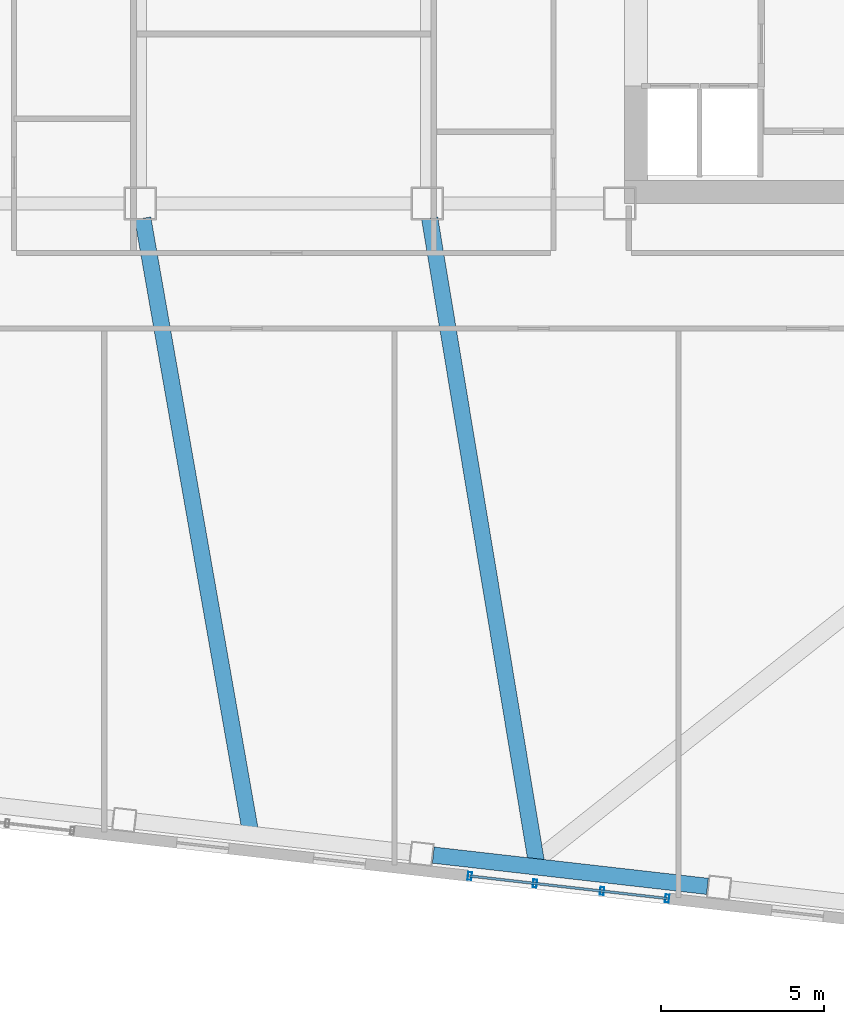
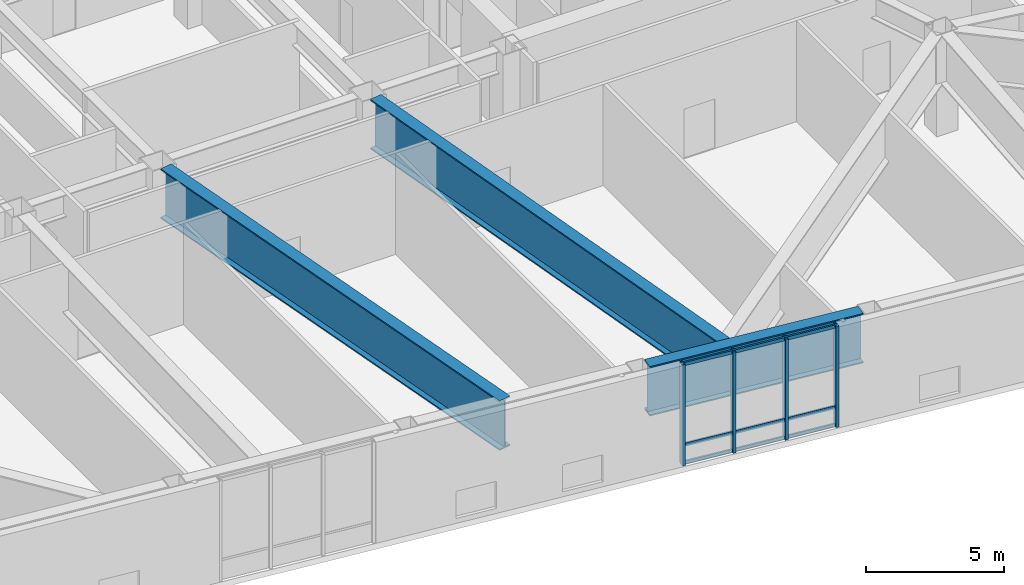
# One storey, part 4 of 19: 7 members, 3 beams, 1 element without a shape of its own.
"""IFC4 building model written with IfcOpenShell, lengths in metres."""

from ifc_helpers import new_model, si_unit, direction, frame, origin, origin_2d, place, context, subcontext, project, spatial, hollow_rectangle, i_section, extrude, material, layer, layer_set, material_profile, profile_set, type_object, element, aggregate, save


model = new_model("IFC4")

# Units and contexts
model_context = context("Model", 3, precision=1e-05, world=origin(), true_north=direction((0.0, 1.0)))
body_context = subcontext(model_context, "Body", "Model", "MODEL_VIEW")
ifc_project = project(units=[si_unit("LENGTHUNIT", "METRE"), si_unit("AREAUNIT", "SQUARE_METRE"), si_unit("VOLUMEUNIT", "CUBIC_METRE"), si_unit("PLANEANGLEUNIT", "RADIAN"), si_unit("MASSUNIT", "GRAM", prefix="KILO")], contexts=[model_context])

# Site, building, storey
site_placement = place(None, origin())
site = spatial("IfcSite", under=ifc_project, at=site_placement, CompositionType="ELEMENT")
building_placement = place(site_placement, origin())
building = spatial("IfcBuilding", under=site, at=building_placement, Name="Tavrogorsk Clinical Tower", CompositionType="ELEMENT")
storey_placement = place(building_placement, frame((0.0, 0.0, 141.39990234375)))
storey = spatial("IfcBuildingStorey", under=building, at=storey_placement, Name="L32", CompositionType="ELEMENT", Elevation=141.39990234375)

# Curtain wall, members
ifc_material_1 = material(Name="Anodised aluminium and triple IGU glazing", Category="aluminium")
ifc_layer = layer(ifc_material_1, 0.179931640625)
ifc_layer_set = layer_set([ifc_layer], Name="Anodised aluminium and triple IGU glazing")
curtain_wall_type = type_object("IfcCurtainWallType", Name="CW5_SkyLobby", PredefinedType="NOTDEFINED", material=ifc_layer_set)
curtain_wall_placement = place(storey_placement, origin())
curtain_wall = element("IfcCurtainWall", 1, at=curtain_wall_placement, inside=storey, type_object=curtain_wall_type, Name="L32 Curtain Wall CW-L32-S-CW5-2", PredefinedType="NOTDEFINED")
ifc_material_2 = material(Name="Anodised aluminium alloy AW-6060", Category="aluminium")
ifc_material_profile_1 = material_profile(ifc_material_2, hollow_rectangle(XDim=0.1201171875, YDim=0.239990234375, WallThickness=0.008056640625, at=origin_2d()), Name="RHS-240x120x8")
ifc_profile_set_1 = profile_set([ifc_material_profile_1], Name="Anodised aluminium alloy AW-6060")
member_type_1 = type_object("IfcMemberType", Name="CwMullion_240x120", PredefinedType="MULLION", material=ifc_profile_set_1)
member_1_placement = place(storey_placement, frame((5.70556640625, -26.966064453125, 0.0), z_axis=(0.0, 0.0, 1.0), x_axis=(0.993571847378, -0.113203286601, 0.0)))
member_1 = element("IfcMember", 2, at=member_1_placement, type_object=member_type_1, Name="CW-L32-S-CW5-2 Mullion 1", PredefinedType="MULLION", context=body_context, shape_type="SweptSolid", body=[
    extrude(hollow_rectangle(XDim=0.1201171875, YDim=0.239990234375, WallThickness=0.008056640625, at=origin_2d()), origin(), (0.0, 0.0, 1.0), 4.47998046875),
])
member_2_placement = place(storey_placement, frame((7.701904296875, -27.193359375, 0.0), z_axis=(0.0, 0.0, 1.0), x_axis=(0.993571847378, -0.113203286601, 0.0)))
member_2 = element("IfcMember", 3, at=member_2_placement, type_object=member_type_1, Name="CW-L32-S-CW5-2 Mullion 2", PredefinedType="MULLION", context=body_context, shape_type="SweptSolid", body=[
    extrude(hollow_rectangle(XDim=0.1201171875, YDim=0.239990234375, WallThickness=0.008056640625, at=origin_2d()), origin(), (0.0, 0.0, 1.0), 4.47998046875),
])
member_3_placement = place(storey_placement, frame((9.758056640625, -27.427734375, 0.0), z_axis=(0.0, 0.0, 1.0), x_axis=(0.993571847378, -0.113203286601, 0.0)))
member_3 = element("IfcMember", 4, at=member_3_placement, type_object=member_type_1, Name="CW-L32-S-CW5-2 Mullion 3", PredefinedType="MULLION", context=body_context, shape_type="SweptSolid", body=[
    extrude(hollow_rectangle(XDim=0.1201171875, YDim=0.239990234375, WallThickness=0.008056640625, at=origin_2d()), origin(), (0.0, 0.0, 1.0), 4.47998046875),
])
member_4_placement = place(storey_placement, frame((11.75439453125, -27.655029296875, 0.0), z_axis=(0.0, 0.0, 1.0), x_axis=(0.993571847378, -0.113203286601, 0.0)))
member_4 = element("IfcMember", 5, at=member_4_placement, type_object=member_type_1, Name="CW-L32-S-CW5-2 Mullion 4", PredefinedType="MULLION", context=body_context, shape_type="SweptSolid", body=[
    extrude(hollow_rectangle(XDim=0.1201171875, YDim=0.239990234375, WallThickness=0.008056640625, at=origin_2d()), origin(), (0.0, 0.0, 1.0), 4.47998046875),
])
ifc_material_3 = material(Name="Anodised aluminium alloy AW-6060", Category="aluminium")
ifc_material_profile_2 = material_profile(ifc_material_3, hollow_rectangle(XDim=0.074951171875, YDim=0.14990234375, WallThickness=0.0048828125, at=origin_2d()), Name="RHS-150x75x5")
ifc_profile_set_2 = profile_set([ifc_material_profile_2], Name="Anodised aluminium alloy AW-6060")
member_type_2 = type_object("IfcMemberType", Name="CwTransom_150x75", PredefinedType="USERDEFINED", material=ifc_profile_set_2)
member_5_placement = place(storey_placement, frame((5.70556640625, -26.966064453125, 0.050048828125), z_axis=(0.993575773071, -0.113168825945, 0.0), x_axis=(0.113168825945, 0.993575773071, 0.0)))
member_5 = element("IfcMember", 6, at=member_5_placement, type_object=member_type_2, Name="CW-L32-S-CW5-2 Transom 1", ObjectType="TRANSOM", PredefinedType="USERDEFINED", context=body_context, shape_type="SweptSolid", body=[
    extrude(hollow_rectangle(XDim=0.074951171875, YDim=0.14990234375, WallThickness=0.0048828125, at=origin_2d()), origin(), (0.0, 0.0, 1.0), 6.087890625),
])
member_6_placement = place(storey_placement, frame((5.70556640625, -26.966064453125, 0.85009765625), z_axis=(0.993575773071, -0.113168825945, 0.0), x_axis=(0.113168825945, 0.993575773071, 0.0)))
member_6 = element("IfcMember", 7, at=member_6_placement, type_object=member_type_2, Name="CW-L32-S-CW5-2 Transom 2", ObjectType="TRANSOM", PredefinedType="USERDEFINED", context=body_context, shape_type="SweptSolid", body=[
    extrude(hollow_rectangle(XDim=0.074951171875, YDim=0.14990234375, WallThickness=0.0048828125, at=origin_2d()), origin(), (0.0, 0.0, 1.0), 6.087890625),
])
member_7_placement = place(storey_placement, frame((5.70556640625, -26.966064453125, 4.43017578125), z_axis=(0.993575773071, -0.113168825945, 0.0), x_axis=(0.113168825945, 0.993575773071, 0.0)))
member_7 = element("IfcMember", 8, at=member_7_placement, type_object=member_type_2, Name="CW-L32-S-CW5-2 Transom 3", ObjectType="TRANSOM", PredefinedType="USERDEFINED", context=body_context, shape_type="SweptSolid", body=[
    extrude(hollow_rectangle(XDim=0.074951171875, YDim=0.14990234375, WallThickness=0.0048828125, at=origin_2d()), origin(), (0.0, 0.0, 1.0), 6.087890625),
])
aggregate(curtain_wall, [member_1, member_2, member_3, member_4, member_5, member_6, member_7])

# Beams
ifc_material_4 = material(Name="Structural steel S440", Category="steel")
ifc_material_profile_3 = material_profile(ifc_material_4, i_section(OverallWidth=0.5, OverallDepth=2.199951171875, WebThickness=0.035888671875, FlangeThickness=0.054931640625, at=origin_2d()), Name="DK-2200x500x36x55")
ifc_profile_set_3 = profile_set([ifc_material_profile_3], Name="Structural steel S440")
beam_type = type_object("IfcBeamType", Name="TransferGirder_DK2200", PredefinedType="USERDEFINED", material=ifc_profile_set_3)
beam_1_placement = place(storey_placement, frame((4.584228515625, -26.324951171875, 3.380126953125), z_axis=(0.99357306506, -0.113192598642, 0.0), x_axis=(0.113192598642, 0.99357306506, 0.0)))
element("IfcBeam", 9, at=beam_1_placement, inside=storey, type_object=beam_type, Name="L32 Perimeter Spandrel S5-S6", ObjectType="GIRDER", PredefinedType="USERDEFINED", context=body_context, shape_type="SweptSolid", body=[
    extrude(i_section(OverallWidth=0.5, OverallDepth=2.199951171875, WebThickness=0.035888671875, FlangeThickness=0.054931640625, at=origin_2d()), origin(), (0.0, 0.0, 1.0), 8.46142578125),
])
beam_2_placement = place(storey_placement, frame((-4.320556640625, -6.802978515625, 3.380126953125), z_axis=(0.17281551525, -0.98495421096, 0.0), x_axis=(0.98495421096, 0.17281551525, 0.0)))
element("IfcBeam", 10, at=beam_2_placement, inside=storey, type_object=beam_type, Name="L33 Block Transfer Girder S4", ObjectType="GIRDER", PredefinedType="USERDEFINED", context=body_context, shape_type="SweptSolid", body=[
    extrude(i_section(OverallWidth=0.5, OverallDepth=2.199951171875, WebThickness=0.035888671875, FlangeThickness=0.054931640625, at=origin_2d()), origin(), (0.0, 0.0, 1.0), 19.173583984375),
])
beam_3_placement = place(storey_placement, frame((4.47509765625, -6.8037109375, 3.380126953125), z_axis=(0.163475715797, -0.986547358389, 0.0), x_axis=(0.986547358389, 0.163475715797, 0.0)))
element("IfcBeam", 11, at=beam_3_placement, inside=storey, type_object=beam_type, Name="L33 Block Transfer Girder S5", ObjectType="GIRDER", PredefinedType="USERDEFINED", context=body_context, shape_type="SweptSolid", body=[
    extrude(i_section(OverallWidth=0.5, OverallDepth=2.199951171875, WebThickness=0.035888671875, FlangeThickness=0.054931640625, at=origin_2d()), origin(), (0.0, 0.0, 1.0), 20.155517578125),
])

save(model, "model.ifc")
